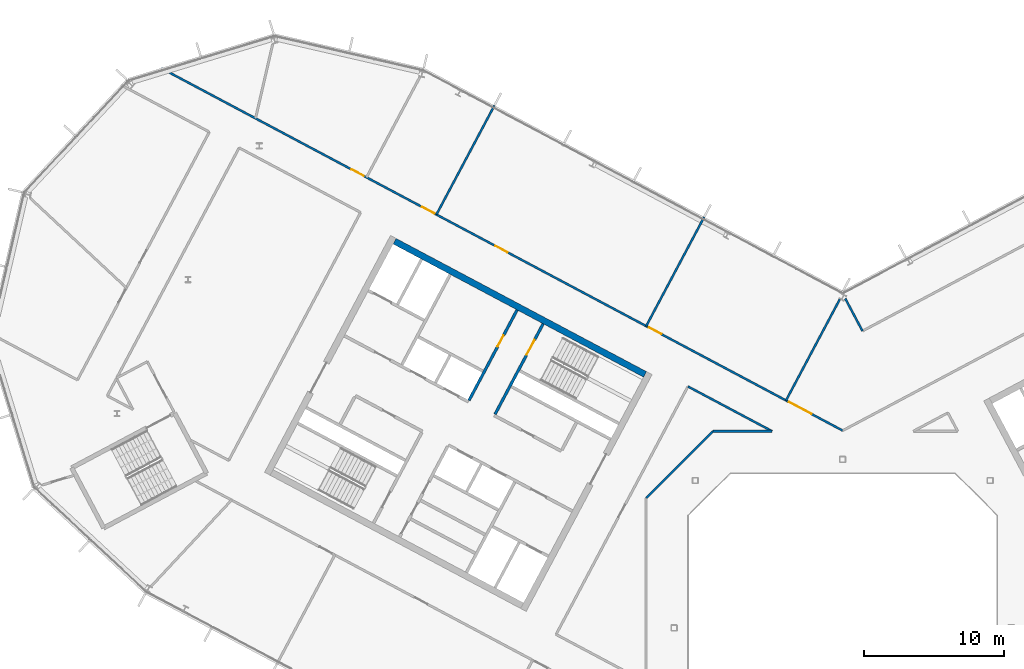
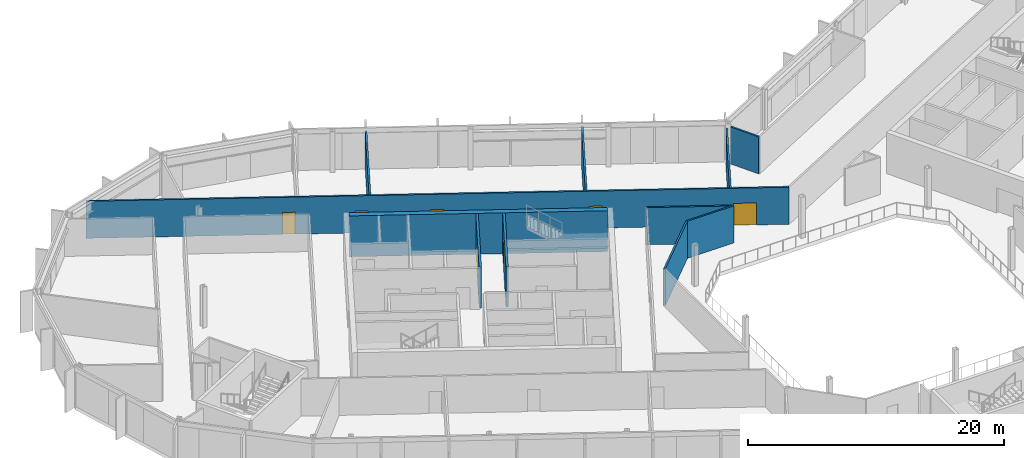
# One storey, part 15 of 26: 11 walls, 7 doors, 7 openings.
"""IFC4 building model written with IfcOpenShell, lengths in metres."""

from ifc_helpers import new_model, si_unit, direction, frame, frame_2d, origin, place, context, subcontext, project, spatial, rectangle, extrude, material, layer, layer_set, type_object, element, fill, save


model = new_model("IFC4")

# Units and contexts
model_context = context("Model", 3, precision=1e-05, world=origin(), true_north=direction((0.0, 1.0)))
body_context = subcontext(model_context, "Body", "Model", "MODEL_VIEW")
ifc_project = project(units=[si_unit("LENGTHUNIT", "METRE"), si_unit("AREAUNIT", "SQUARE_METRE"), si_unit("VOLUMEUNIT", "CUBIC_METRE"), si_unit("PLANEANGLEUNIT", "RADIAN"), si_unit("MASSUNIT", "GRAM", prefix="KILO")], contexts=[model_context])

# Site, building, storey
site_placement = place(None, origin())
site = spatial("IfcSite", under=ifc_project, at=site_placement, CompositionType="ELEMENT")
building_placement = place(site_placement, origin())
building = spatial("IfcBuilding", under=site, at=building_placement, Name="Cormorant Relay Tower", CompositionType="ELEMENT")
storey_placement = place(building_placement, frame((0.0, 0.0, 269.699951171875)))
storey = spatial("IfcBuildingStorey", under=building, at=storey_placement, Name="L60", CompositionType="ELEMENT", Elevation=269.699951171875)

# Wall, opening, door
ifc_material_1 = material(Name="Concrete 50 MPa", Category="concrete")
ifc_layer_1 = layer(ifc_material_1, 0.199951171875)
ifc_layer_set_1 = layer_set([ifc_layer_1], Name="Core shaft wall 200")
wall_type_1 = type_object("IfcWallType", Name="Core shaft wall 200", PredefinedType="SHEAR", material=ifc_layer_set_1)
wall_1_placement = place(storey_placement, frame((-21.333251953125, 21.6494140625, 0.0), z_axis=(0.0, 0.0, 1.0), x_axis=(-0.469494272526, -0.882935517501, 0.0)))
wall_1 = element("IfcWall", 1, at=wall_1_placement, inside=storey, type_object=wall_type_1, Name="L60 core A shaft wall", PredefinedType="SHEAR", context=body_context, shape_type="SweptSolid", body=[
    extrude(rectangle(XDim=7.2998046875, YDim=0.199951171875, at=frame_2d((3.64990234375, 0.0))), origin(), (0.0, 0.0, 1.0), 3.900146484375),
])
opening_1_placement = place(wall_1_placement, frame((1.300048828125, 0.0, 0.0)))
opening_1 = element("IfcOpeningElement", 2, at=opening_1_placement, cuts=wall_1, Name="Opening CDB-038", PredefinedType="OPENING", context=body_context, shape_type="SweptSolid", body=[
    extrude(rectangle(XDim=1.199951171875, YDim=2.10009765625, at=frame_2d((0.60009765625, 1.050048828125))), frame((0.0, 0.10986328125, 0.0), z_axis=(0.0, -1.0, 0.0), x_axis=(1.0, 0.0, 0.0)), (0.0, 0.0, 1.0), 0.219970703125),
])
ifc_material_2 = material(Name="Steel fire door", Category="steel")
door_type_1 = type_object("IfcDoorType", Name="Core stair door 1200x2100", OperationType="SINGLE_SWING_LEFT", PredefinedType="DOOR", material=ifc_material_2)
door_1_placement = place(opening_1_placement, origin())
door_1 = element("IfcDoor", 3, at=door_1_placement, inside=storey, type_object=door_type_1, Name="Core stair door 1200x2100", OperationType="SINGLE_SWING_RIGHT", OverallHeight=2.10009765625, OverallWidth=1.199951171875, PredefinedType="DOOR", context=body_context, shape_type="SweptSolid", body=[
    extrude(rectangle(XDim=1.199951171875, YDim=2.10009765625, at=frame_2d((0.60009765625, 1.050048828125))), frame((0.0, 0.02490234375, 0.0), z_axis=(0.0, -1.0, 0.0), x_axis=(1.0, 0.0, 0.0)), (0.0, 0.0, 1.0), 0.050048828125),
])
fill(opening_1, door_1)

wall_2_placement = place(storey_placement, frame((-23.1875, 22.635498046875, 0.0), z_axis=(0.0, 0.0, 1.0), x_axis=(-0.469454336211, -0.882956752176, 0.0)))
wall_2 = element("IfcWall", 4, at=wall_2_placement, inside=storey, type_object=wall_type_1, Name="L60 core A shaft wall", PredefinedType="SHEAR", context=body_context, shape_type="SweptSolid", body=[
    extrude(rectangle(XDim=7.300048828125, YDim=0.199951171875, at=frame_2d((3.64990234375, 0.0))), origin(), (0.0, 0.0, 1.0), 3.900146484375),
])
opening_2_placement = place(wall_2_placement, frame((2.050048828125, 0.0, 0.0)))
opening_2 = element("IfcOpeningElement", 5, at=opening_2_placement, cuts=wall_2, Name="Opening CDD-292", PredefinedType="OPENING", context=body_context, shape_type="SweptSolid", body=[
    extrude(rectangle(XDim=0.89990234375, YDim=2.10009765625, at=frame_2d((0.449951171875, 1.050048828125))), frame((0.0, 0.10986328125, 0.0), z_axis=(0.0, -1.0, 0.0), x_axis=(1.0, 0.0, 0.0)), (0.0, 0.0, 1.0), 0.219970703125),
])
ifc_material_3 = material(Name="Steel fire door", Category="steel")
door_type_2 = type_object("IfcDoorType", Name="Core room door 900x2100", OperationType="SINGLE_SWING_LEFT", PredefinedType="DOOR", material=ifc_material_3)
door_2_placement = place(opening_2_placement, origin())
door_2 = element("IfcDoor", 6, at=door_2_placement, inside=storey, type_object=door_type_2, Name="Core room door 900x2100", OperationType="SINGLE_SWING_LEFT", OverallHeight=2.10009765625, OverallWidth=0.89990234375, PredefinedType="DOOR", context=body_context, shape_type="SweptSolid", body=[
    extrude(rectangle(XDim=0.89990234375, YDim=2.10009765625, at=frame_2d((0.449951171875, 1.050048828125))), frame((0.0, 0.02490234375, 0.0), z_axis=(0.0, -1.0, 0.0), x_axis=(1.0, 0.0, 0.0)), (0.0, 0.0, 1.0), 0.050048828125),
])
fill(opening_2, door_2)

# Wall
ifc_material_4 = material(Name="Concrete 50 MPa", Category="concrete")
ifc_layer_2 = layer(ifc_material_4, 0.449951171875)
ifc_layer_set_2 = layer_set([ifc_layer_2], Name="Core wall 450")
wall_type_2 = type_object("IfcWallType", Name="Core wall 450", PredefinedType="SHEAR", material=ifc_layer_set_2)
wall_3_placement = place(storey_placement, frame((-14.07568359375, 18.04541015625, 0.0), z_axis=(0.0, 0.0, 1.0), x_axis=(-0.882947755831, 0.46947125628, 0.0)))
element("IfcWall", 7, at=wall_3_placement, inside=storey, type_object=wall_type_2, Name="L60 core A wall", PredefinedType="SHEAR", context=body_context, shape_type="SweptSolid", body=[
    extrude(rectangle(XDim=20.2001953125, YDim=0.449951171875, at=frame_2d((10.10009765625, 0.0))), origin(), (0.0, 0.0, 1.0), 3.900146484375),
])

# Wall, openings, doors
ifc_material_5 = material(Name="Gypsum board fire partition")
ifc_layer_3 = layer(ifc_material_5, 0.14990234375)
ifc_layer_set_3 = layer_set([ifc_layer_3], Name="Corridor partition 150 EI 60")
wall_type_3 = type_object("IfcWallType", Name="Corridor partition 150 EI 60", PredefinedType="PARTITIONING", material=ifc_layer_set_3)
wall_4_placement = place(storey_placement, frame((-48.541015625, 39.85400390625, 0.0), z_axis=(0.0, 0.0, 1.0), x_axis=(0.882945008423, -0.469476423372, 0.0)))
wall_4 = element("IfcWall", 8, at=wall_4_placement, inside=storey, type_object=wall_type_3, Name="wall/L60/part/008", PredefinedType="PARTITIONING", context=body_context, shape_type="SweptSolid", body=[
    extrude(rectangle(XDim=54.976318359375, YDim=0.14990234375, at=frame_2d((27.48828125, 0.0))), origin(), (0.0, 0.0, 1.0), 3.5400390625),
])
opening_3_placement = place(wall_4_placement, frame((50.64990234375, 0.0, 0.0)))
opening_3 = element("IfcOpeningElement", 9, at=opening_3_placement, cuts=wall_4, Name="Opening DD-036", PredefinedType="OPENING", context=body_context, shape_type="SweptSolid", body=[
    extrude(rectangle(XDim=1.800048828125, YDim=2.10009765625, at=frame_2d((0.89990234375, 1.050048828125))), frame((0.0, 0.0849609375, 0.0), z_axis=(0.0, -1.0, 0.0), x_axis=(1.0, 0.0, 0.0)), (0.0, 0.0, 1.0), 0.169921875),
])
opening_4_placement = place(wall_4_placement, frame((39.35009765625, 0.0, 0.0)))
opening_4 = element("IfcOpeningElement", 10, at=opening_4_placement, cuts=wall_4, Name="Opening DS-134", PredefinedType="OPENING", context=body_context, shape_type="SweptSolid", body=[
    extrude(rectangle(XDim=1.0, YDim=2.10009765625, at=frame_2d((0.5, 1.050048828125))), frame((0.0, 0.0849609375, 0.0), z_axis=(0.0, -1.0, 0.0), x_axis=(1.0, 0.0, 0.0)), (0.0, 0.0, 1.0), 0.169921875),
])
opening_5_placement = place(wall_4_placement, frame((26.949951171875, 0.0, 0.0)))
opening_5 = element("IfcOpeningElement", 11, at=opening_5_placement, cuts=wall_4, Name="Opening DS-210", PredefinedType="OPENING", context=body_context, shape_type="SweptSolid", body=[
    extrude(rectangle(XDim=1.0, YDim=2.10009765625, at=frame_2d((0.5, 1.050048828125))), frame((0.0, 0.0849609375, 0.0), z_axis=(0.0, -1.0, 0.0), x_axis=(1.0, 0.0, 0.0)), (0.0, 0.0, 1.0), 0.169921875),
])
opening_6_placement = place(wall_4_placement, frame((21.049072265625, 0.0, 0.0)))
opening_6 = element("IfcOpeningElement", 12, at=opening_6_placement, cuts=wall_4, Name="Opening DS-119", PredefinedType="OPENING", context=body_context, shape_type="SweptSolid", body=[
    extrude(rectangle(XDim=1.0, YDim=2.10009765625, at=frame_2d((0.5, 1.050048828125))), frame((0.0, 0.0849609375, 0.0), z_axis=(0.0, -1.0, 0.0), x_axis=(1.0, 0.0, 0.0)), (0.0, 0.0, 1.0), 0.169921875),
])
opening_7_placement = place(wall_4_placement, frame((15.35009765625, 0.0, 0.0)))
opening_7 = element("IfcOpeningElement", 13, at=opening_7_placement, cuts=wall_4, Name="Opening DS-120", PredefinedType="OPENING", context=body_context, shape_type="SweptSolid", body=[
    extrude(rectangle(XDim=1.0, YDim=2.10009765625, at=frame_2d((0.5, 1.050048828125))), frame((0.0, 0.0849609375, 0.0), z_axis=(0.0, -1.0, 0.0), x_axis=(1.0, 0.0, 0.0)), (0.0, 0.0, 1.0), 0.169921875),
])
ifc_material_6 = material(Name="Timber door leaf", Category="wood")
door_type_3 = type_object("IfcDoorType", Name="Suite door 1000x2100", OperationType="SINGLE_SWING_LEFT", PredefinedType="DOOR", material=ifc_material_6)
door_3_placement = place(opening_4_placement, origin())
door_3 = element("IfcDoor", 14, at=door_3_placement, inside=storey, type_object=door_type_3, Name="door/L60/014", OperationType="SINGLE_SWING_LEFT", OverallHeight=2.10009765625, OverallWidth=1.0, PredefinedType="DOOR", context=body_context, shape_type="SweptSolid", body=[
    extrude(rectangle(XDim=1.0, YDim=2.10009765625, at=frame_2d((0.5, 1.050048828125))), frame((0.0, 0.02490234375, 0.0), z_axis=(0.0, -1.0, 0.0), x_axis=(1.0, 0.0, 0.0)), (0.0, 0.0, 1.0), 0.050048828125),
])
fill(opening_4, door_3)
door_4_placement = place(opening_5_placement, origin())
door_4 = element("IfcDoor", 15, at=door_4_placement, inside=storey, type_object=door_type_3, Name="door/L60/015", OperationType="SINGLE_SWING_RIGHT", OverallHeight=2.10009765625, OverallWidth=1.0, PredefinedType="DOOR", context=body_context, shape_type="SweptSolid", body=[
    extrude(rectangle(XDim=1.0, YDim=2.10009765625, at=frame_2d((0.5, 1.050048828125))), frame((0.0, 0.02490234375, 0.0), z_axis=(0.0, -1.0, 0.0), x_axis=(1.0, 0.0, 0.0)), (0.0, 0.0, 1.0), 0.050048828125),
])
fill(opening_5, door_4)
door_5_placement = place(opening_6_placement, origin())
door_5 = element("IfcDoor", 16, at=door_5_placement, inside=storey, type_object=door_type_3, Name="door/L60/016", OperationType="SINGLE_SWING_RIGHT", OverallHeight=2.10009765625, OverallWidth=1.0, PredefinedType="DOOR", context=body_context, shape_type="SweptSolid", body=[
    extrude(rectangle(XDim=1.0, YDim=2.10009765625, at=frame_2d((0.5, 1.050048828125))), frame((0.0, 0.02490234375, 0.0), z_axis=(0.0, -1.0, 0.0), x_axis=(1.0, 0.0, 0.0)), (0.0, 0.0, 1.0), 0.050048828125),
])
fill(opening_6, door_5)
door_6_placement = place(opening_7_placement, origin())
door_6 = element("IfcDoor", 17, at=door_6_placement, inside=storey, type_object=door_type_3, Name="door/L60/017", OperationType="SINGLE_SWING_RIGHT", OverallHeight=2.10009765625, OverallWidth=1.0, PredefinedType="DOOR", context=body_context, shape_type="SweptSolid", body=[
    extrude(rectangle(XDim=1.0, YDim=2.10009765625, at=frame_2d((0.5, 1.050048828125))), frame((0.0, 0.02490234375, 0.0), z_axis=(0.0, -1.0, 0.0), x_axis=(1.0, 0.0, 0.0)), (0.0, 0.0, 1.0), 0.050048828125),
])
fill(opening_7, door_6)
ifc_material_7 = material(Name="Timber door leaf", Category="wood")
door_type_4 = type_object("IfcDoorType", Name="Suite double door 1800x2100", OperationType="DOUBLE_DOOR_SINGLE_SWING", PredefinedType="DOOR", material=ifc_material_7)
door_7_placement = place(opening_3_placement, origin())
door_7 = element("IfcDoor", 18, at=door_7_placement, inside=storey, type_object=door_type_4, Name="door/L60/013", OperationType="DOUBLE_DOOR_SINGLE_SWING", OverallHeight=2.10009765625, OverallWidth=1.800048828125, PredefinedType="DOOR", context=body_context, shape_type="SweptSolid", body=[
    extrude(rectangle(XDim=1.800048828125, YDim=2.10009765625, at=frame_2d((0.89990234375, 1.050048828125))), frame((0.0, 0.02490234375, 0.0), z_axis=(0.0, -1.0, 0.0), x_axis=(1.0, 0.0, 0.0)), (0.0, 0.0, 1.0), 0.050048828125),
])
fill(opening_3, door_7)

# Walls
wall_5_placement = place(storey_placement, frame((-11.02197265625, 17.18603515625, 0.0), z_axis=(0.0, 0.0, 1.0), x_axis=(0.882943783905, -0.469478726316, 0.0)))
element("IfcWall", 19, at=wall_5_placement, inside=storey, type_object=wall_type_3, Name="wall/L60/part/045", PredefinedType="PARTITIONING", context=body_context, shape_type="SweptSolid", body=[
    extrude(rectangle(XDim=6.786376953125, YDim=0.14990234375, at=frame_2d((3.39306640625, 0.0))), origin(), (0.0, 0.0, 1.0), 3.5400390625),
])
wall_6_placement = place(storey_placement, frame((-5.030029296875, 14.0, 0.0), z_axis=(0.0, 0.0, 1.0), x_axis=(-1.0, 0.0, 0.0)))
element("IfcWall", 20, at=wall_6_placement, inside=storey, type_object=wall_type_3, Name="wall/L60/part/046", PredefinedType="PARTITIONING", context=body_context, shape_type="SweptSolid", body=[
    extrude(rectangle(XDim=4.212890625, YDim=0.14990234375, at=frame_2d((2.1064453125, 0.0))), origin(), (0.0, 0.0, 1.0), 3.5400390625),
])
wall_7_placement = place(storey_placement, frame((-9.242919921875, 14.0, 0.0), z_axis=(0.0, 0.0, 1.0), x_axis=(-0.707106781187, -0.707106781187, 0.0)))
element("IfcWall", 21, at=wall_7_placement, inside=storey, type_object=wall_type_3, Name="wall/L60/part/047", PredefinedType="PARTITIONING", context=body_context, shape_type="SweptSolid", body=[
    extrude(rectangle(XDim=6.7275390625, YDim=0.14990234375, at=frame_2d((3.36376953125, 0.0))), origin(), (0.0, 0.0, 1.0), 3.5400390625),
])
ifc_material_8 = material(Name="Gypsum board partition")
ifc_layer_4 = layer(ifc_material_8, 0.14990234375)
ifc_layer_set_4 = layer_set([ifc_layer_4], Name="Tenant partition 150")
wall_type_4 = type_object("IfcWallType", Name="Tenant partition 150", PredefinedType="PARTITIONING", material=ifc_layer_set_4)
wall_8_placement = place(storey_placement, frame((-24.800048828125, 37.197021484375, 0.0), z_axis=(0.0, 0.0, 1.0), x_axis=(-0.469510830369, -0.882926712794, 0.0)))
element("IfcWall", 22, at=wall_8_placement, inside=storey, type_object=wall_type_4, Name="wall/L60/part/020", PredefinedType="PARTITIONING", context=body_context, shape_type="SweptSolid", body=[
    extrude(rectangle(XDim=8.80029296875, YDim=0.14990234375, at=frame_2d((4.400146484375, 0.0))), origin(), (0.0, 0.0, 1.0), 3.5400390625),
])
wall_9_placement = place(storey_placement, frame((-9.864013671875, 29.2548828125, 0.0), z_axis=(0.0, 0.0, 1.0), x_axis=(-0.469457446168, -0.882955098653, 0.0)))
element("IfcWall", 23, at=wall_9_placement, inside=storey, type_object=wall_type_4, Name="wall/L60/part/021", PredefinedType="PARTITIONING", context=body_context, shape_type="SweptSolid", body=[
    extrude(rectangle(XDim=8.7998046875, YDim=0.14990234375, at=frame_2d((4.39990234375, 0.0))), origin(), (0.0, 0.0, 1.0), 3.5400390625),
])
wall_10_placement = place(storey_placement, frame((-0.195068359375, 23.41796875, 0.0), z_axis=(0.0, 0.0, 1.0), x_axis=(-0.469409645302, -0.882980512184, 0.0)))
element("IfcWall", 24, at=wall_10_placement, inside=storey, type_object=wall_type_4, Name="wall/L60/part/026", PredefinedType="PARTITIONING", context=body_context, shape_type="SweptSolid", body=[
    extrude(rectangle(XDim=8.184814453125, YDim=0.14990234375, at=frame_2d((4.09228515625, 0.0))), origin(), (0.0, 0.0, 1.0), 3.5400390625),
])
wall_11_placement = place(storey_placement, frame((0.178955078125, 23.449951171875, 0.0), z_axis=(0.0, 0.0, 1.0), x_axis=(0.469359563697, -0.88300713472, 0.0)))
element("IfcWall", 25, at=wall_11_placement, inside=storey, type_object=wall_type_4, Name="wall/L60/part/029", PredefinedType="PARTITIONING", context=body_context, shape_type="SweptSolid", body=[
    extrude(rectangle(XDim=2.62060546875, YDim=0.14990234375, at=frame_2d((1.310302734375, 0.0))), origin(), (0.0, 0.0, 1.0), 3.5400390625),
])

save(model, "model.ifc")
